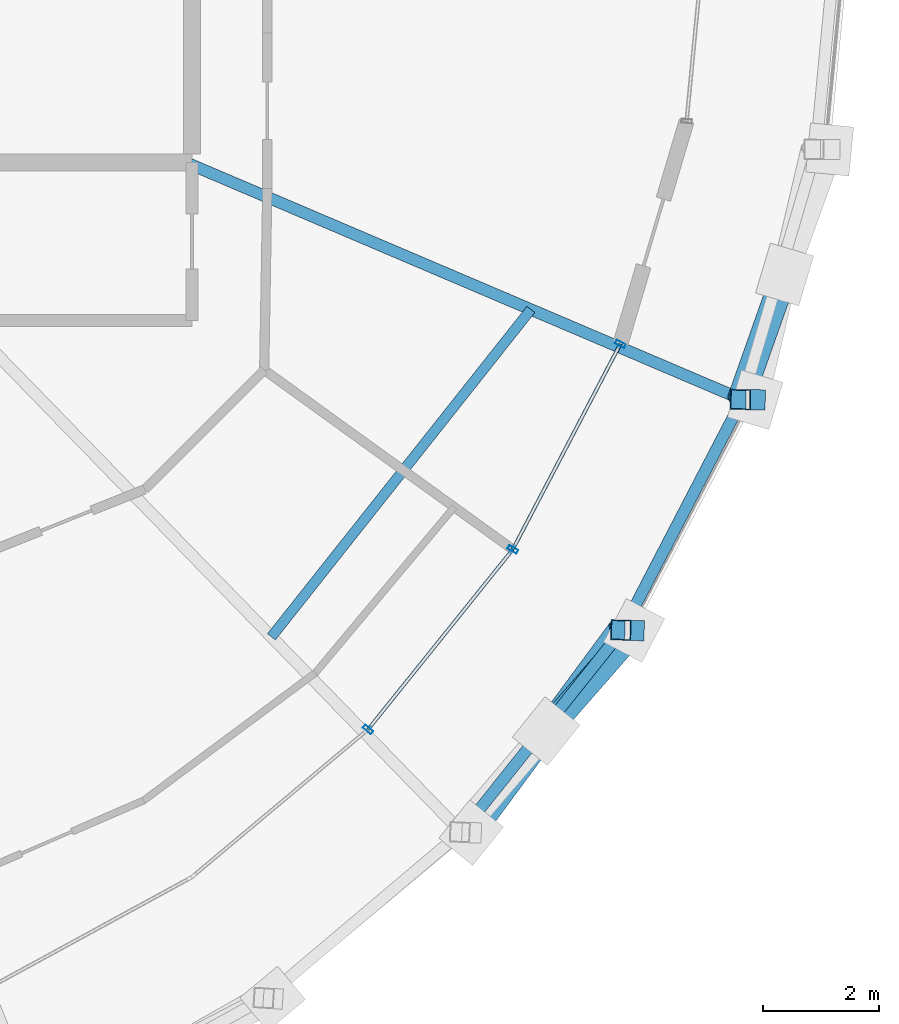
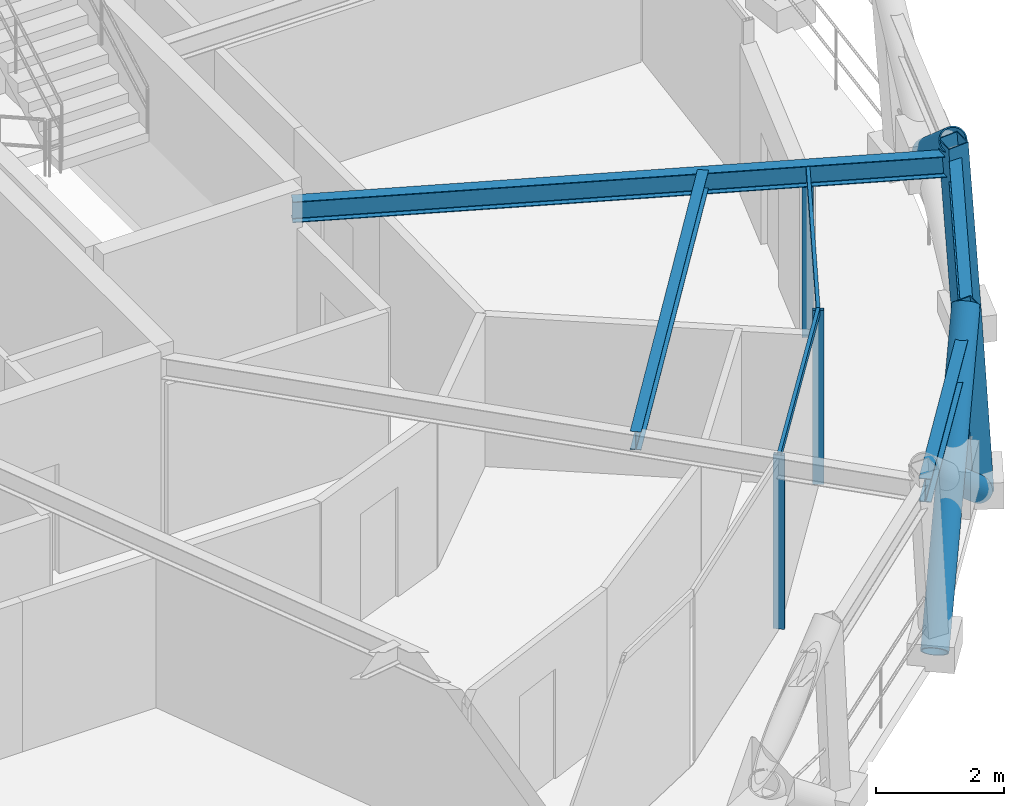
# One storey, part 4 of 15: 10 members, 4 beams, 1 element without a shape of its own.
"""IFC4 building model written with IfcOpenShell, lengths in metres."""

from ifc_helpers import new_model, si_unit, direction, frame, origin, origin_2d, place, context, subcontext, project, spatial, hollow_rectangle, hollow_circle, i_section, extrude, material, layer, layer_set, material_profile, profile_set, type_object, element, aggregate, save


model = new_model("IFC4")

# Units and contexts
model_context = context("Model", 3, precision=1e-05, world=origin(), true_north=direction((0.0, 1.0)))
body_context = subcontext(model_context, "Body", "Model", "MODEL_VIEW")
ifc_project = project(units=[si_unit("LENGTHUNIT", "METRE"), si_unit("AREAUNIT", "SQUARE_METRE"), si_unit("VOLUMEUNIT", "CUBIC_METRE"), si_unit("PLANEANGLEUNIT", "RADIAN"), si_unit("MASSUNIT", "GRAM", prefix="KILO")], contexts=[model_context])

# Site, building, storey
site_placement = place(None, origin())
site = spatial("IfcSite", under=ifc_project, at=site_placement, CompositionType="ELEMENT")
building_placement = place(site_placement, origin())
building = spatial("IfcBuilding", under=site, at=building_placement, Name="Veldorina Hangang Commons", CompositionType="ELEMENT")
storey_placement = place(building_placement, frame((0.0, 0.0, 254.39990234375)))
storey = spatial("IfcBuildingStorey", under=building, at=storey_placement, Name="L66", CompositionType="ELEMENT", Elevation=254.39990234375)

# Beams
ifc_material_1 = material(Name="Steel SM355-TMC", Category="steel")
ifc_material_profile_1 = material_profile(ifc_material_1, i_section(OverallWidth=0.199951171875, OverallDepth=0.39990234375, WebThickness=0.008056640625, FlangeThickness=0.012939453125, FilletRadius=0.012939453125, at=origin_2d()), Name="H-400x200x8x13")
ifc_profile_set_1 = profile_set([ifc_material_profile_1], Name="Steel SM355-TMC")
beam_type_1 = type_object("IfcBeamType", Name="BM-FG400", PredefinedType="BEAM", material=ifc_profile_set_1)
beam_1_placement = place(storey_placement, frame((43.0751953125, 19.280029296875, 3.16015625), z_axis=(0.919939848742, -0.392059529531, 0.0), x_axis=(0.392059529531, 0.919939848742, 0.0)))
element("IfcBeam", 1, at=beam_1_placement, inside=storey, type_object=beam_type_1, Name="L66 radial floor girder 16", PredefinedType="BEAM", context=body_context, shape_type="SweptSolid", body=[
    extrude(i_section(OverallWidth=0.199951171875, OverallDepth=0.39990234375, WebThickness=0.008056640625, FlangeThickness=0.012939453125, FilletRadius=0.012939453125, at=origin_2d()), origin(), (0.0, 0.0, 1.0), 10.4453125),
])
ifc_material_profile_2 = material_profile(ifc_material_1, i_section(OverallWidth=0.175048828125, OverallDepth=0.35009765625, WebThickness=0.007080078125, FlangeThickness=0.010986328125, FilletRadius=0.012939453125, at=origin_2d()), Name="H-350x175x7x11")
ifc_profile_set_2 = profile_set([ifc_material_profile_2], Name="Steel SM355-TMC")
beam_type_2 = type_object("IfcBeamType", Name="BM-JST350", PredefinedType="JOIST", material=ifc_profile_set_2)
beam_2_placement = place(storey_placement, frame((44.55126953125, 11.08642578125, 3.18505859375), z_axis=(0.621143989746, 0.78369646165, 0.0), x_axis=(-0.78369646165, 0.621143989746, 0.0)))
element("IfcBeam", 2, at=beam_2_placement, inside=storey, type_object=beam_type_2, Name="L66 secondary floor joist 15", PredefinedType="JOIST", context=body_context, shape_type="SweptSolid", body=[
    extrude(i_section(OverallWidth=0.175048828125, OverallDepth=0.35009765625, WebThickness=0.007080078125, FlangeThickness=0.010986328125, FilletRadius=0.012939453125, at=origin_2d()), origin(), (0.0, 0.0, 1.0), 7.21533203125),
])
ifc_material_profile_3 = material_profile(ifc_material_1, i_section(OverallWidth=0.199951171875, OverallDepth=0.449951171875, WebThickness=0.009033203125, FlangeThickness=0.013916015625, FilletRadius=0.01611328125, at=origin_2d()), Name="H-450x200x9x14")
ifc_profile_set_3 = profile_set([ifc_material_profile_3], Name="Steel SM355-TMC")
beam_type_3 = type_object("IfcBeamType", Name="BM-RB450", PredefinedType="BEAM", material=ifc_profile_set_3)
beam_3_placement = place(storey_placement, frame((47.8310546875, 7.7119140625, 3.135009765625), z_axis=(0.623607541824, 0.781737573473, 0.0), x_axis=(-0.781737573473, 0.623607541824, 0.0)))
element("IfcBeam", 3, at=beam_3_placement, inside=storey, type_object=beam_type_3, Name="L66 perimeter hoop ring beam 28", PredefinedType="BEAM", context=body_context, shape_type="SweptSolid", body=[
    extrude(i_section(OverallWidth=0.199951171875, OverallDepth=0.449951171875, WebThickness=0.009033203125, FlangeThickness=0.013916015625, FilletRadius=0.01611328125, at=origin_2d()), origin(), (0.0, 0.0, 1.0), 4.465087890625),
])
beam_4_placement = place(storey_placement, frame((50.615478515625, 11.202392578125, 3.135009765625), z_axis=(0.460999842905, 0.887400216836, 0.0), x_axis=(-0.887400216836, 0.460999842905, 0.0)))
element("IfcBeam", 4, at=beam_4_placement, inside=storey, type_object=beam_type_3, Name="L66 perimeter hoop ring beam 29", PredefinedType="BEAM", context=body_context, shape_type="SweptSolid", body=[
    extrude(i_section(OverallWidth=0.199951171875, OverallDepth=0.449951171875, WebThickness=0.009033203125, FlangeThickness=0.013916015625, FilletRadius=0.01611328125, at=origin_2d()), origin(), (0.0, 0.0, 1.0), 4.48779296875),
])

# Curtain wall, members
ifc_material_2 = material(Name="Glass Low-E Selective", Category="glass")
ifc_layer = layer(ifc_material_2, 0.179931640625)
ifc_layer_set = layer_set([ifc_layer], Name="Glass Low-E Selective")
curtain_wall_type = type_object("IfcCurtainWallType", Name="CW-SYS-Z3", PredefinedType="NOTDEFINED", material=ifc_layer_set)
curtain_wall_placement = place(storey_placement, origin())
curtain_wall = element("IfcCurtainWall", 5, at=curtain_wall_placement, inside=storey, type_object=curtain_wall_type, Name="L66 unitised curtain wall CW-L66-R1", PredefinedType="NOTDEFINED")
ifc_material_3 = material(Name="Aluminium Anodized AA6063-T6", Category="aluminium")
ifc_material_profile_4 = material_profile(ifc_material_3, hollow_rectangle(XDim=0.070068359375, YDim=0.179931640625, WallThickness=0.00390625, at=origin_2d()), Name="ALU-RHS-180x70x4")
ifc_profile_set_4 = profile_set([ifc_material_profile_4], Name="Aluminium Anodized AA6063-T6")
member_type_1 = type_object("IfcMemberType", Name="CW-MUL-180", PredefinedType="MULLION", material=ifc_profile_set_4)
member_1_placement = place(storey_placement, frame((46.219482421875, 9.486328125, 0.0), z_axis=(0.0, 0.0, 1.0), x_axis=(0.62663101501, 0.779316091857, 0.0)))
member_1 = element("IfcMember", 6, at=member_1_placement, type_object=member_type_1, Name="CW-L66-R1 vertical mullion 2", PredefinedType="MULLION", context=body_context, shape_type="SweptSolid", body=[
    extrude(hollow_rectangle(XDim=0.070068359375, YDim=0.179931640625, WallThickness=0.00390625, at=origin_2d()), origin(), (0.0, 0.0, 1.0), 3.320068359375),
])
member_2_placement = place(storey_placement, frame((48.720458984375, 12.5966796875, 0.0), z_axis=(0.0, 0.0, 1.0), x_axis=(0.463914608979, 0.885879921646, 0.0)))
member_2 = element("IfcMember", 7, at=member_2_placement, type_object=member_type_1, Name="CW-L66-R1 vertical mullion 3", PredefinedType="MULLION", context=body_context, shape_type="SweptSolid", body=[
    extrude(hollow_rectangle(XDim=0.070068359375, YDim=0.179931640625, WallThickness=0.00390625, at=origin_2d()), origin(), (0.0, 0.0, 1.0), 3.320068359375),
])
member_3_placement = place(storey_placement, frame((50.578857421875, 16.145263671875, 0.0), z_axis=(0.0, 0.0, 1.0), x_axis=(-0.463914608979, -0.885879921646, 0.0)))
member_3 = element("IfcMember", 8, at=member_3_placement, type_object=member_type_1, Name="CW-L66-R1 vertical mullion 4", PredefinedType="MULLION", context=body_context, shape_type="SweptSolid", body=[
    extrude(hollow_rectangle(XDim=0.070068359375, YDim=0.179931640625, WallThickness=0.00390625, at=origin_2d()), origin(), (0.0, 0.0, 1.0), 3.320068359375),
])
ifc_material_profile_5 = material_profile(ifc_material_3, hollow_rectangle(XDim=0.06005859375, YDim=0.139892578125, WallThickness=0.00341796875, at=origin_2d()), Name="ALU-RHS-140x60x3.5")
ifc_profile_set_5 = profile_set([ifc_material_profile_5], Name="Aluminium Anodized AA6063-T6")
member_type_2 = type_object("IfcMemberType", Name="CW-TRN-140", PredefinedType="USERDEFINED", material=ifc_profile_set_5)
member_4_placement = place(storey_placement, frame((46.219482421875, 9.486328125, 3.280029296875), z_axis=(0.626632679393, 0.77931475356, 0.0), x_axis=(-0.77931475356, 0.626632679393, 0.0)))
member_4 = element("IfcMember", 9, at=member_4_placement, type_object=member_type_2, Name="CW-L66-R1 facet 3 transom 1", ObjectType="TRANSOM", PredefinedType="USERDEFINED", context=body_context, shape_type="SweptSolid", body=[
    extrude(hollow_rectangle(XDim=0.06005859375, YDim=0.139892578125, WallThickness=0.00341796875, at=origin_2d()), origin(), (0.0, 0.0, 1.0), 3.9912109375),
])
member_5_placement = place(storey_placement, frame((48.720458984375, 12.5966796875, 3.280029296875), z_axis=(0.463931838963, 0.885870898493, 0.0), x_axis=(-0.885870898493, 0.463931838963, 0.0)))
member_5 = element("IfcMember", 10, at=member_5_placement, type_object=member_type_2, Name="CW-L66-R1 facet 4 transom 1", ObjectType="TRANSOM", PredefinedType="USERDEFINED", context=body_context, shape_type="SweptSolid", body=[
    extrude(hollow_rectangle(XDim=0.06005859375, YDim=0.139892578125, WallThickness=0.00341796875, at=origin_2d()), origin(), (0.0, 0.0, 1.0), 4.005859375),
])
aggregate(curtain_wall, [member_1, member_2, member_3, member_4, member_5])

# Members
ifc_material_profile_6 = material_profile(ifc_material_1, hollow_circle(Radius=0.22509765625, WallThickness=0.02197265625, at=origin_2d()), Name="CHS-450x22")
ifc_profile_set_6 = profile_set([ifc_material_profile_6], Name="Steel SM355-TMC")
member_type_3 = type_object("IfcMemberType", Name="DG-CHS450", PredefinedType="BRACE", material=ifc_profile_set_6)
member_6_placement = place(storey_placement, frame((48.00146484375, 7.704345703125, 0.0), z_axis=(0.45767524147, 0.619688385522, 0.637588957083), x_axis=(-0.804396541593, 0.594092756961, 0.0)))
element("IfcMember", 11, at=member_6_placement, inside=storey, type_object=member_type_3, Name="L66 continuous perimeter diagrid brace 28", PredefinedType="BRACE", context=body_context, shape_type="SweptSolid", body=[
    extrude(hollow_circle(Radius=0.22509765625, WallThickness=0.02197265625, at=origin_2d()), origin(), (0.0, 0.0, 1.0), 5.646484375),
])
member_7_placement = place(storey_placement, frame((50.81591796875, 11.196533203125, 0.0), z_axis=(-0.518436803165, -0.593177692339, 0.615924919479), x_axis=(0.752950031548, -0.658077692975, 0.0)))
element("IfcMember", 12, at=member_7_placement, inside=storey, type_object=member_type_3, Name="L66 split perimeter diagrid lower brace 29", PredefinedType="BRACE", context=body_context, shape_type="SweptSolid", body=[
    extrude(hollow_circle(Radius=0.22509765625, WallThickness=0.02197265625, at=origin_2d()), origin(), (0.0, 0.0, 1.0), 2.929931640625),
])
member_8_placement = place(storey_placement, frame((53.41552734375, 17.34521484375, 1.801513671875), z_axis=(-0.262367102368, -0.741501401773, 0.617526659152), x_axis=(0.942726397655, -0.333566993518, 0.0)))
element("IfcMember", 13, at=member_8_placement, inside=storey, type_object=member_type_3, Name="L66 split perimeter diagrid upper brace 31", PredefinedType="BRACE", context=body_context, shape_type="SweptSolid", body=[
    extrude(hollow_circle(Radius=0.22509765625, WallThickness=0.02197265625, at=origin_2d()), origin(), (0.0, 0.0, 1.0), 2.91259765625),
])
ifc_material_profile_7 = material_profile(ifc_material_1, hollow_rectangle(XDim=0.35009765625, YDim=0.35009765625, WallThickness=0.01611328125, at=origin_2d()), Name="SHS-350x350x16")
ifc_profile_set_7 = profile_set([ifc_material_profile_7], Name="Steel SM355-TMC")
member_type_4 = type_object("IfcMemberType", Name="STR-SHS350", PredefinedType="STRUT", material=ifc_profile_set_7)
member_9_placement = place(storey_placement, frame((50.81591796875, 11.196533203125, 0.0), z_axis=(-0.063819068512, 0.001894945831, 0.997959686398), x_axis=(-0.029679390409, -0.999559469859, 0.0)))
element("IfcMember", 14, at=member_9_placement, inside=storey, type_object=member_type_4, Name="L66 perimeter ring node post 29", PredefinedType="STRUT", context=body_context, shape_type="SweptSolid", body=[
    extrude(hollow_rectangle(XDim=0.35009765625, YDim=0.35009765625, WallThickness=0.01611328125, at=origin_2d()), origin(), (0.0, 0.0, 1.0), 3.607421875),
])
member_10_placement = place(storey_placement, frame((52.906982421875, 15.180908203125, 0.0), z_axis=(-0.070823948145, 0.001285248343, 0.997488003189), x_axis=(-0.018144099583, -0.999835382276, 0.0)))
element("IfcMember", 15, at=member_10_placement, inside=storey, type_object=member_type_4, Name="L66 perimeter ring node post 30", PredefinedType="STRUT", context=body_context, shape_type="SweptSolid", body=[
    extrude(hollow_rectangle(XDim=0.35009765625, YDim=0.35009765625, WallThickness=0.01611328125, at=origin_2d()), origin(), (0.0, 0.0, 1.0), 3.609130859375),
])

save(model, "model.ifc")
